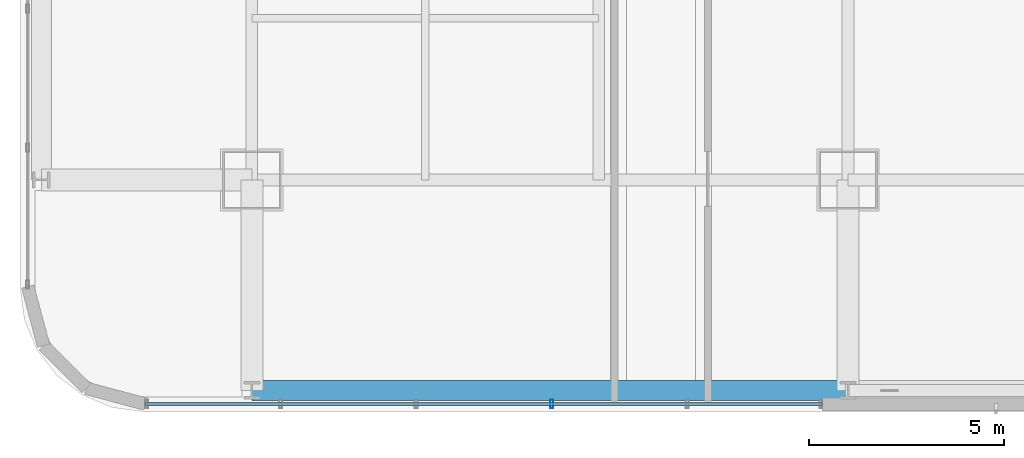
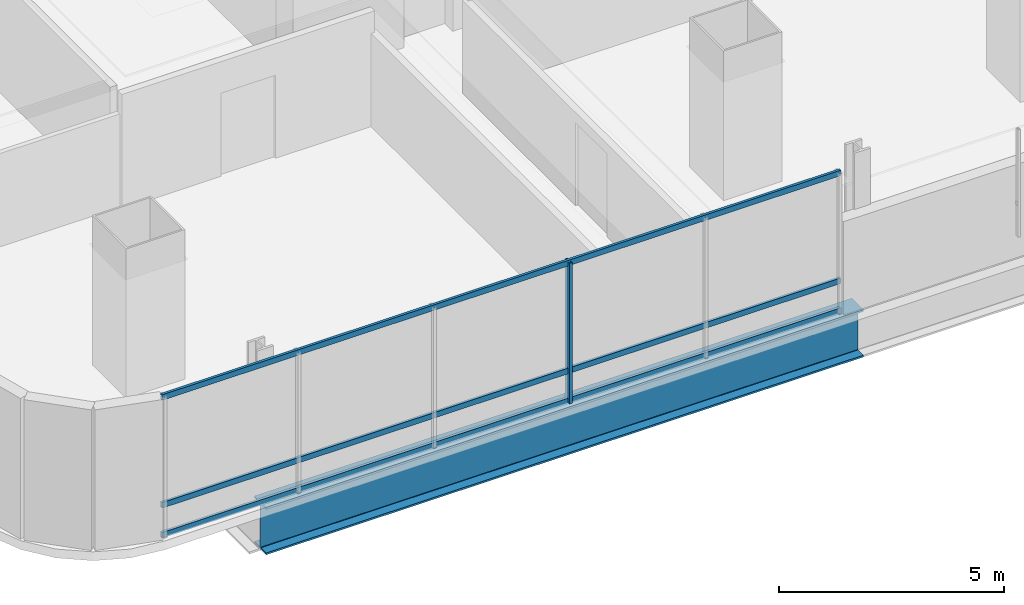
# One storey, part 3 of 37: 4 members, 1 beam, 1 element without a shape of its own.
"""IFC4 building model written with IfcOpenShell, lengths in metres."""

from ifc_helpers import new_model, si_unit, direction, frame, origin, origin_2d, place, context, subcontext, project, spatial, hollow_rectangle, i_section, extrude, material, material_profile, profile_set, type_object, element, aggregate, save


model = new_model("IFC4")

# Units and contexts
model_context = context("Model", 3, precision=1e-05, world=origin(), true_north=direction((0.0, 1.0)))
body_context = subcontext(model_context, "Body", "Model", "MODEL_VIEW")
ifc_project = project(units=[si_unit("LENGTHUNIT", "METRE"), si_unit("AREAUNIT", "SQUARE_METRE"), si_unit("VOLUMEUNIT", "CUBIC_METRE"), si_unit("PLANEANGLEUNIT", "RADIAN"), si_unit("MASSUNIT", "GRAM", prefix="KILO")], contexts=[model_context])

# Site, building, storey
site_placement = place(None, origin())
site = spatial("IfcSite", under=ifc_project, at=site_placement, CompositionType="ELEMENT")
building_placement = place(site_placement, origin())
building = spatial("IfcBuilding", under=site, at=building_placement, Name="Punatoya Terracotta Tower", CompositionType="ELEMENT")
storey_placement = place(building_placement, frame((0.0, 0.0, 44.39990234375)))
storey = spatial("IfcBuildingStorey", under=building, at=storey_placement, Name="L09", CompositionType="ELEMENT", Elevation=44.39990234375)

# Beam
ifc_material_1 = material(Name="Steel S460", Category="steel")
ifc_material_profile_1 = material_profile(ifc_material_1, i_section(OverallWidth=0.52001953125, OverallDepth=1.280029296875, WebThickness=0.031982421875, FlangeThickness=0.050048828125, FilletRadius=0.01806640625, at=origin_2d()))
ifc_profile_set_1 = profile_set([ifc_material_profile_1], Name="Steel S460")
beam_type = type_object("IfcBeamType", Name="BM-TG-NCK", PredefinedType="BEAM", material=ifc_profile_set_1)
beam_placement = place(storey_placement, frame((-19.10009765625, -22.89990234375, -0.8798828125), z_axis=(1.0, 0.0, 0.0), x_axis=(0.0, 1.0, 0.0)))
element("IfcBeam", 1, at=beam_placement, inside=storey, type_object=beam_type, Name="BM-L09-PER-S1", PredefinedType="BEAM", context=body_context, shape_type="SweptSolid", body=[
    extrude(i_section(OverallWidth=0.52001953125, OverallDepth=1.280029296875, WebThickness=0.031982421875, FlangeThickness=0.050048828125, FilletRadius=0.01806640625, at=origin_2d()), origin(), (0.0, 0.0, 1.0), 15.300048828125),
])

# Curtain wall, members
ifc_material_2 = material(Name="Aluminium 6063-T6 + Double Low-E Glass", Category="aluminium")
curtain_wall_type = type_object("IfcCurtainWallType", Name="CW-M1", PredefinedType="NOTDEFINED", material=ifc_material_2)
curtain_wall_placement = place(storey_placement, origin())
curtain_wall = element("IfcCurtainWall", 2, at=curtain_wall_placement, inside=storey, type_object=curtain_wall_type, Name="L09 Curtain Wall CW-L09-S01-1", PredefinedType="NOTDEFINED")
ifc_material_3 = material(Name="Aluminium 6063-T6", Category="aluminium")
ifc_material_profile_2 = material_profile(ifc_material_3, hollow_rectangle(XDim=0.074951171875, YDim=0.2099609375, WallThickness=0.00439453125, at=origin_2d()))
ifc_profile_set_2 = profile_set([ifc_material_profile_2], Name="Aluminium 6063-T6")
member_type_1 = type_object("IfcMemberType", Name="CW-MUL-M1", PredefinedType="MULLION", material=ifc_profile_set_2)
member_1_placement = place(storey_placement, frame((-11.40478515625, -23.25, 0.0), z_axis=(0.0, 0.0, 1.0), x_axis=(1.0, 0.0, 0.0)))
member_1 = element("IfcMember", 3, at=member_1_placement, type_object=member_type_1, Name="CW-L09-S01-1 Mullion 03", PredefinedType="MULLION", context=body_context, shape_type="SweptSolid", body=[
    extrude(hollow_rectangle(XDim=0.074951171875, YDim=0.2099609375, WallThickness=0.00439453125, at=origin_2d()), origin(), (0.0, 0.0, 1.0), 3.81005859375),
])
ifc_material_profile_3 = material_profile(ifc_material_3, hollow_rectangle(XDim=0.068115234375, YDim=0.14990234375, WallThickness=0.00390625, at=origin_2d()))
ifc_profile_set_3 = profile_set([ifc_material_profile_3], Name="Aluminium 6063-T6")
member_type_2 = type_object("IfcMemberType", Name="CW-TRN-TYP", PredefinedType="USERDEFINED", material=ifc_profile_set_3)
member_2_placement = place(storey_placement, frame((-21.8369140625, -23.25, 0.0400390625), z_axis=(1.0, 0.0, 0.0), x_axis=(0.0, 1.0, 0.0)))
member_2 = element("IfcMember", 4, at=member_2_placement, type_object=member_type_2, Name="CW-L09-S01-1 Transom 1", ObjectType="TRANSOM", PredefinedType="USERDEFINED", context=body_context, shape_type="SweptSolid", body=[
    extrude(hollow_rectangle(XDim=0.068115234375, YDim=0.14990234375, WallThickness=0.00390625, at=origin_2d()), origin(), (0.0, 0.0, 1.0), 17.386962890625),
])
member_3_placement = place(storey_placement, frame((-21.8369140625, -23.25, 0.85009765625), z_axis=(1.0, 0.0, 0.0), x_axis=(0.0, 1.0, 0.0)))
member_3 = element("IfcMember", 5, at=member_3_placement, type_object=member_type_2, Name="CW-L09-S01-1 Transom 2", ObjectType="TRANSOM", PredefinedType="USERDEFINED", context=body_context, shape_type="SweptSolid", body=[
    extrude(hollow_rectangle(XDim=0.068115234375, YDim=0.14990234375, WallThickness=0.00390625, at=origin_2d()), origin(), (0.0, 0.0, 1.0), 17.386962890625),
])
member_4_placement = place(storey_placement, frame((-21.8369140625, -23.25, 3.77001953125), z_axis=(1.0, 0.0, 0.0), x_axis=(0.0, 1.0, 0.0)))
member_4 = element("IfcMember", 6, at=member_4_placement, type_object=member_type_2, Name="CW-L09-S01-1 Transom 3", ObjectType="TRANSOM", PredefinedType="USERDEFINED", context=body_context, shape_type="SweptSolid", body=[
    extrude(hollow_rectangle(XDim=0.068115234375, YDim=0.14990234375, WallThickness=0.00390625, at=origin_2d()), origin(), (0.0, 0.0, 1.0), 17.386962890625),
])
aggregate(curtain_wall, [member_1, member_2, member_3, member_4])

save(model, "model.ifc")
